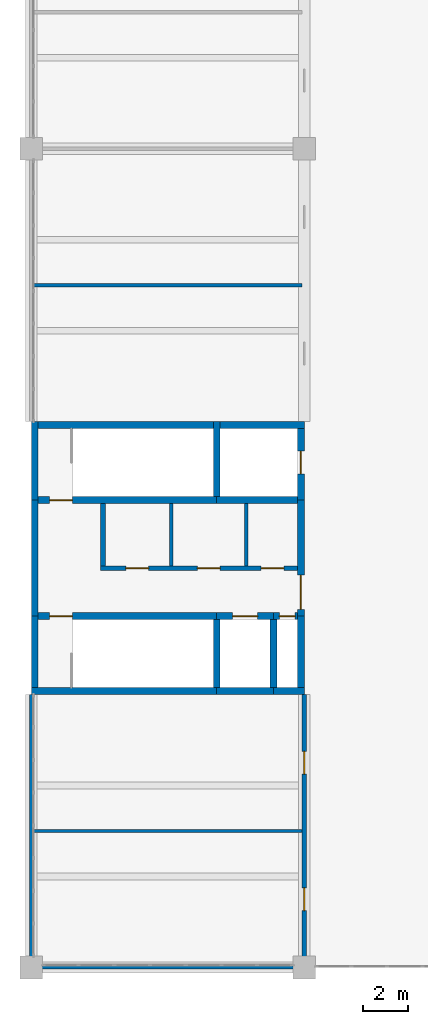
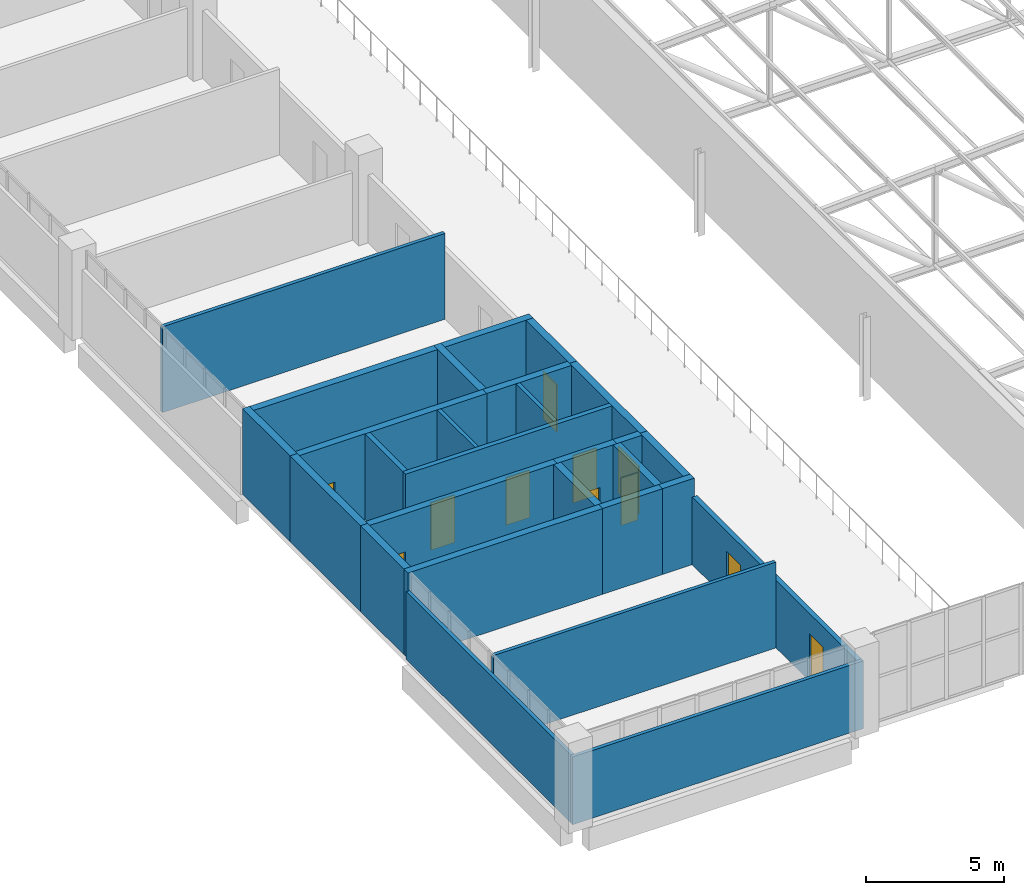
# One storey, part 141 of 156: 28 walls, 11 doors, 11 openings.
"""IFC4 building model written with IfcOpenShell, lengths in metres."""

from ifc_helpers import new_model, si_unit, direction, frame, frame_2d, origin, place, context, subcontext, project, spatial, rectangle, extrude, material, layer, layer_set, type_object, element, fill, save


model = new_model("IFC4")

# Units and contexts
model_context = context("Model", 3, precision=1e-05, world=origin(), true_north=direction((0.0, 1.0)))
body_context = subcontext(model_context, "Body", "Model", "MODEL_VIEW")
ifc_project = project(units=[si_unit("LENGTHUNIT", "METRE"), si_unit("AREAUNIT", "SQUARE_METRE"), si_unit("VOLUMEUNIT", "CUBIC_METRE"), si_unit("PLANEANGLEUNIT", "RADIAN"), si_unit("MASSUNIT", "GRAM", prefix="KILO")], contexts=[model_context])

# Site, building, storey
site_placement = place(None, origin())
site = spatial("IfcSite", under=ifc_project, at=site_placement, CompositionType="ELEMENT")
building_placement = place(site_placement, origin())
building = spatial("IfcBuilding", under=site, at=building_placement, Name="Lilac Gate Convention Centre", CompositionType="ELEMENT")
storey_placement = place(building_placement, frame((0.0, 0.0, 17.0)))
storey = spatial("IfcBuildingStorey", under=building, at=storey_placement, Name="L03", CompositionType="ELEMENT", Elevation=17.0)

# Walls
ifc_material_1 = material(Name="Fire-rated gypsum board on steel stud", Category="steel")
ifc_layer_1 = layer(ifc_material_1, 0.14990234375)
ifc_layer_set_1 = layer_set([ifc_layer_1], Name="Fire-rated gypsum board on steel stud")
wall_type_1 = type_object("IfcWallType", Name="Partition 150 fire-rated gypsum board EI 60", PredefinedType="PARTITIONING", material=ifc_layer_set_1)
wall_1_placement = place(storey_placement, frame((5.925048828125, 30.0, 0.0), z_axis=(0.0, 0.0, 1.0), x_axis=(1.0, 0.0, 0.0)))
element("IfcWall", 1, at=wall_1_placement, inside=storey, type_object=wall_type_1, Name="Partition 150 fire-rated gypsum board EI 60", PredefinedType="PARTITIONING", context=body_context, shape_type="SweptSolid", body=[
    extrude(rectangle(XDim=12.175048828125, YDim=0.14990234375, at=frame_2d((6.08740234375, 0.0))), origin(), (0.0, 0.0, 1.0), 3.0),
])
for number, where, z_axis, x_axis, name in (
    (2, (6.074951171875, 36.0, 0.0), (0.0, 0.0, 1.0), (1.0, 0.0, 0.0), "Partition 150 fire-rated gypsum board EI 60"),
    (3, (6.074951171875, 60.0, 0.0), (0.0, 0.0, 1.0), (1.0, 0.0, 0.0), "Partition 150 fire-rated gypsum board EI 60"),
):
    element("IfcWall", number, at=place(storey_placement, frame(where, z_axis=z_axis, x_axis=x_axis)), inside=storey, type_object=wall_type_1, Name=name, PredefinedType="PARTITIONING", context=body_context, shape_type="SweptSolid", body=[
        extrude(rectangle(XDim=11.824951171875, YDim=0.14990234375, at=frame_2d((5.91259765625, 0.0))), origin(), (0.0, 0.0, 1.0), 3.800048828125),
    ])
wall_2_placement = place(storey_placement, frame((6.0, 30.074951171875, 0.0), z_axis=(0.0, 0.0, 1.0), x_axis=(0.0, 1.0, 0.0)))
element("IfcWall", 4, at=wall_2_placement, inside=storey, type_object=wall_type_1, Name="Partition 150 fire-rated gypsum board EI 60", PredefinedType="PARTITIONING", context=body_context, shape_type="SweptSolid", body=[
    extrude(rectangle(XDim=11.925048828125, YDim=0.14990234375, at=frame_2d((5.96240234375, 0.0))), origin(), (0.0, 0.0, 1.0), 3.0),
])
for number, where, z_axis, x_axis, name in (
    (5, (12.14990234375, 47.64990234375, 0.0), (0.0, 0.0, 1.0), (0.0, 1.0, 0.0), "Partition 150 fire-rated gypsum board EI 60"),
    (6, (15.449951171875, 47.64990234375, 0.0), (0.0, 0.0, 1.0), (0.0, 1.0, 0.0), "Partition 150 fire-rated gypsum board EI 60"),
):
    element("IfcWall", number, at=place(storey_placement, frame(where, z_axis=z_axis, x_axis=x_axis)), inside=storey, type_object=wall_type_1, Name=name, PredefinedType="PARTITIONING", context=body_context, shape_type="SweptSolid", body=[
        extrude(rectangle(XDim=2.75, YDim=0.14990234375, at=frame_2d((1.375, 0.0))), origin(), (0.0, 0.0, 1.0), 3.800048828125),
    ])

# Wall, openings, doors
ifc_material_2 = material(Name="Clay brick masonry", Category="masonry")
ifc_layer_2 = layer(ifc_material_2, 0.199951171875)
ifc_layer_set_2 = layer_set([ifc_layer_2], Name="Clay brick masonry")
wall_type_2 = type_object("IfcWallType", Name="Partition 200 brick EI 60", PredefinedType="PARTITIONING", material=ifc_layer_set_2)
wall_3_placement = place(storey_placement, frame((9.050048828125, 47.550048828125, 0.0), z_axis=(0.0, 0.0, 1.0), x_axis=(1.0, 0.0, 0.0)))
wall_3 = element("IfcWall", 7, at=wall_3_placement, inside=storey, type_object=wall_type_2, Name="Partition 200 brick EI 60", PredefinedType="PARTITIONING", context=body_context, shape_type="SweptSolid", body=[
    extrude(rectangle(XDim=8.64990234375, YDim=0.199951171875, at=frame_2d((4.324951171875, 0.0))), origin(), (0.0, 0.0, 1.0), 3.800048828125),
])
opening_1_placement = place(wall_3_placement, frame((1.10009765625, 0.0, 0.0)))
opening_1 = element("IfcOpeningElement", 8, at=opening_1_placement, cuts=wall_3, Name="Opening L03-006", PredefinedType="OPENING", context=body_context, shape_type="SweptSolid", body=[
    extrude(rectangle(XDim=1.0, YDim=2.10009765625, at=frame_2d((0.5, 1.050048828125))), frame((0.0, 0.10986328125, 0.0), z_axis=(0.0, -1.0, 0.0), x_axis=(1.0, 0.0, 0.0)), (0.0, 0.0, 1.0), 0.219970703125),
])
opening_2_placement = place(wall_3_placement, frame((4.25, 0.0, 0.0)))
opening_2 = element("IfcOpeningElement", 9, at=opening_2_placement, cuts=wall_3, Name="Opening L03-007", PredefinedType="OPENING", context=body_context, shape_type="SweptSolid", body=[
    extrude(rectangle(XDim=1.0, YDim=2.10009765625, at=frame_2d((0.5, 1.050048828125))), frame((0.0, 0.10986328125, 0.0), z_axis=(0.0, -1.0, 0.0), x_axis=(1.0, 0.0, 0.0)), (0.0, 0.0, 1.0), 0.219970703125),
])
opening_3_placement = place(wall_3_placement, frame((7.050048828125, 0.0, 0.0)))
opening_3 = element("IfcOpeningElement", 10, at=opening_3_placement, cuts=wall_3, Name="Opening L03-008", PredefinedType="OPENING", context=body_context, shape_type="SweptSolid", body=[
    extrude(rectangle(XDim=1.0, YDim=2.10009765625, at=frame_2d((0.5, 1.050048828125))), frame((0.0, 0.10986328125, 0.0), z_axis=(0.0, -1.0, 0.0), x_axis=(1.0, 0.0, 0.0)), (0.0, 0.0, 1.0), 0.219970703125),
])
ifc_material_3 = material(Name="Timber fire door leaf", Category="wood")
door_type_1 = type_object("IfcDoorType", Name="Door 1000 x 2100 single leaf FD30", OperationType="SINGLE_SWING_LEFT", PredefinedType="DOOR", material=ifc_material_3)
door_1_placement = place(opening_1_placement, origin())
door_1 = element("IfcDoor", 11, at=door_1_placement, inside=storey, type_object=door_type_1, Name="WC door L03-006", OperationType="SINGLE_SWING_RIGHT", OverallHeight=2.10009765625, OverallWidth=1.0, PredefinedType="DOOR", context=body_context, shape_type="SweptSolid", body=[
    extrude(rectangle(XDim=1.0, YDim=2.10009765625, at=frame_2d((0.5, 1.050048828125))), frame((0.0, 0.02490234375, 0.0), z_axis=(0.0, -1.0, 0.0), x_axis=(1.0, 0.0, 0.0)), (0.0, 0.0, 1.0), 0.050048828125),
])
fill(opening_1, door_1)
door_2_placement = place(opening_2_placement, origin())
door_2 = element("IfcDoor", 12, at=door_2_placement, inside=storey, type_object=door_type_1, Name="WC door L03-007", OperationType="SINGLE_SWING_LEFT", OverallHeight=2.10009765625, OverallWidth=1.0, PredefinedType="DOOR", context=body_context, shape_type="SweptSolid", body=[
    extrude(rectangle(XDim=1.0, YDim=2.10009765625, at=frame_2d((0.5, 1.050048828125))), frame((0.0, 0.02490234375, 0.0), z_axis=(0.0, -1.0, 0.0), x_axis=(1.0, 0.0, 0.0)), (0.0, 0.0, 1.0), 0.050048828125),
])
fill(opening_2, door_2)
door_3_placement = place(opening_3_placement, origin())
door_3 = element("IfcDoor", 13, at=door_3_placement, inside=storey, type_object=door_type_1, Name="Accessible WC door L03-008", OperationType="SINGLE_SWING_LEFT", OverallHeight=2.10009765625, OverallWidth=1.0, PredefinedType="DOOR", context=body_context, shape_type="SweptSolid", body=[
    extrude(rectangle(XDim=1.0, YDim=2.10009765625, at=frame_2d((0.5, 1.050048828125))), frame((0.0, 0.02490234375, 0.0), z_axis=(0.0, -1.0, 0.0), x_axis=(1.0, 0.0, 0.0)), (0.0, 0.0, 1.0), 0.050048828125),
])
fill(opening_3, door_3)

# Wall
wall_4_placement = place(storey_placement, frame((9.14990234375, 47.64990234375, 0.0), z_axis=(0.0, 0.0, 1.0), x_axis=(0.0, 1.0, 0.0)))
element("IfcWall", 14, at=wall_4_placement, inside=storey, type_object=wall_type_2, Name="Partition 200 brick EI 60", PredefinedType="PARTITIONING", context=body_context, shape_type="SweptSolid", body=[
    extrude(rectangle(XDim=2.75, YDim=0.199951171875, at=frame_2d((1.375, 0.0))), origin(), (0.0, 0.0, 1.0), 3.800048828125),
])

# Wall, openings, doors
wall_5_placement = place(storey_placement, frame((18.0, 30.074951171875, 0.0), z_axis=(0.0, 0.0, 1.0), x_axis=(0.0, 1.0, 0.0)))
wall_5 = element("IfcWall", 15, at=wall_5_placement, inside=storey, type_object=wall_type_2, Name="Partition 200 brick EI 60", PredefinedType="PARTITIONING", context=body_context, shape_type="SweptSolid", body=[
    extrude(rectangle(XDim=11.925048828125, YDim=0.199951171875, at=frame_2d((5.96240234375, 0.0))), origin(), (0.0, 0.0, 1.0), 3.0),
])
opening_4_placement = place(wall_5_placement, frame((2.425048828125, 0.0, 0.0)))
opening_4 = element("IfcOpeningElement", 16, at=opening_4_placement, cuts=wall_5, Name="Opening L03-001", PredefinedType="OPENING", context=body_context, shape_type="SweptSolid", body=[
    extrude(rectangle(XDim=1.0, YDim=2.10009765625, at=frame_2d((0.5, 1.050048828125))), frame((0.0, 0.10986328125, 0.0), z_axis=(0.0, -1.0, 0.0), x_axis=(1.0, 0.0, 0.0)), (0.0, 0.0, 1.0), 0.219970703125),
])
opening_5_placement = place(wall_5_placement, frame((8.425048828125, 0.0, 0.0)))
opening_5 = element("IfcOpeningElement", 17, at=opening_5_placement, cuts=wall_5, Name="Opening L03-002", PredefinedType="OPENING", context=body_context, shape_type="SweptSolid", body=[
    extrude(rectangle(XDim=1.0, YDim=2.10009765625, at=frame_2d((0.5, 1.050048828125))), frame((0.0, 0.10986328125, 0.0), z_axis=(0.0, -1.0, 0.0), x_axis=(1.0, 0.0, 0.0)), (0.0, 0.0, 1.0), 0.219970703125),
])
door_4_placement = place(opening_4_placement, origin())
door_4 = element("IfcDoor", 18, at=door_4_placement, inside=storey, type_object=door_type_1, Name="Meeting room door L03-001", OperationType="SINGLE_SWING_RIGHT", OverallHeight=2.10009765625, OverallWidth=1.0, PredefinedType="DOOR", context=body_context, shape_type="SweptSolid", body=[
    extrude(rectangle(XDim=1.0, YDim=2.10009765625, at=frame_2d((0.5, 1.050048828125))), frame((0.0, 0.02490234375, 0.0), z_axis=(0.0, -1.0, 0.0), x_axis=(1.0, 0.0, 0.0)), (0.0, 0.0, 1.0), 0.050048828125),
])
fill(opening_4, door_4)
door_5_placement = place(opening_5_placement, origin())
door_5 = element("IfcDoor", 19, at=door_5_placement, inside=storey, type_object=door_type_1, Name="Meeting room door L03-002", OperationType="SINGLE_SWING_RIGHT", OverallHeight=2.10009765625, OverallWidth=1.0, PredefinedType="DOOR", context=body_context, shape_type="SweptSolid", body=[
    extrude(rectangle(XDim=1.0, YDim=2.10009765625, at=frame_2d((0.5, 1.050048828125))), frame((0.0, 0.02490234375, 0.0), z_axis=(0.0, -1.0, 0.0), x_axis=(1.0, 0.0, 0.0)), (0.0, 0.0, 1.0), 0.050048828125),
])
fill(opening_5, door_5)

# Walls
ifc_material_4 = material(Name="Concrete C40", Category="concrete")
ifc_layer_3 = layer(ifc_material_4, 0.300048828125)
ifc_layer_set_3 = layer_set([ifc_layer_3], Name="Concrete C40")
wall_type_3 = type_object("IfcWallType", Name="Shear wall 300 C40", PredefinedType="SHEAR", material=ifc_layer_set_3)
wall_6_placement = place(storey_placement, frame((6.0, 42.14990234375, 0.0), z_axis=(0.0, 0.0, 1.0), x_axis=(1.0, 0.0, 0.0)))
element("IfcWall", 20, at=wall_6_placement, inside=storey, type_object=wall_type_3, Name="SW1 shear wall W1 L03 1", PredefinedType="SHEAR", context=body_context, shape_type="SweptSolid", body=[
    extrude(rectangle(XDim=8.14990234375, YDim=0.300048828125, at=frame_2d((4.074951171875, 0.0))), origin(), (0.0, 0.0, 1.0), 3.800048828125),
])
wall_7_placement = place(storey_placement, frame((14.14990234375, 42.14990234375, 0.0), z_axis=(0.0, 0.0, 1.0), x_axis=(1.0, 0.0, 0.0)))
element("IfcWall", 21, at=wall_7_placement, inside=storey, type_object=wall_type_3, Name="SW1 shear wall W1 L03 2", PredefinedType="SHEAR", context=body_context, shape_type="SweptSolid", body=[
    extrude(rectangle(XDim=2.5, YDim=0.300048828125, at=frame_2d((1.25, 0.0))), origin(), (0.0, 0.0, 1.0), 3.800048828125),
])
wall_8_placement = place(storey_placement, frame((16.64990234375, 42.14990234375, 0.0), z_axis=(0.0, 0.0, 1.0), x_axis=(1.0, 0.0, 0.0)))
element("IfcWall", 22, at=wall_8_placement, inside=storey, type_object=wall_type_3, Name="SW1 shear wall W1 L03 3", PredefinedType="SHEAR", context=body_context, shape_type="SweptSolid", body=[
    extrude(rectangle(XDim=1.35009765625, YDim=0.300048828125, at=frame_2d((0.675048828125, 0.0))), origin(), (0.0, 0.0, 1.0), 3.800048828125),
])
wall_9_placement = place(storey_placement, frame((6.0, 53.85009765625, 0.0), z_axis=(0.0, 0.0, 1.0), x_axis=(1.0, 0.0, 0.0)))
element("IfcWall", 23, at=wall_9_placement, inside=storey, type_object=wall_type_3, Name="SW1 shear wall W1 L03 4", PredefinedType="SHEAR", context=body_context, shape_type="SweptSolid", body=[
    extrude(rectangle(XDim=8.14990234375, YDim=0.300048828125, at=frame_2d((4.074951171875, 0.0))), origin(), (0.0, 0.0, 1.0), 3.800048828125),
])
wall_10_placement = place(storey_placement, frame((14.14990234375, 53.85009765625, 0.0), z_axis=(0.0, 0.0, 1.0), x_axis=(1.0, 0.0, 0.0)))
element("IfcWall", 24, at=wall_10_placement, inside=storey, type_object=wall_type_3, Name="SW1 shear wall W1 L03 5", PredefinedType="SHEAR", context=body_context, shape_type="SweptSolid", body=[
    extrude(rectangle(XDim=3.85009765625, YDim=0.300048828125, at=frame_2d((1.925048828125, 0.0))), origin(), (0.0, 0.0, 1.0), 3.800048828125),
])

# Wall, opening, door
wall_11_placement = place(storey_placement, frame((6.300048828125, 45.449951171875, 0.0), z_axis=(0.0, 0.0, 1.0), x_axis=(1.0, 0.0, 0.0)))
wall_11 = element("IfcWall", 25, at=wall_11_placement, inside=storey, type_object=wall_type_3, Name="SW1 shear wall W1 L03 6", PredefinedType="SHEAR", context=body_context, shape_type="SweptSolid", body=[
    extrude(rectangle(XDim=7.849853515625, YDim=0.300048828125, at=frame_2d((3.9248046875, 0.0))), origin(), (0.0, 0.0, 1.0), 3.800048828125),
])
opening_6_placement = place(wall_11_placement, frame((0.5, 0.0, 0.0)))
opening_6 = element("IfcOpeningElement", 26, at=opening_6_placement, cuts=wall_11, Name="Opening L03-003", PredefinedType="OPENING", context=body_context, shape_type="SweptSolid", body=[
    extrude(rectangle(XDim=1.0, YDim=2.10009765625, at=frame_2d((0.5, 1.050048828125))), frame((0.0, 0.159912109375, 0.0), z_axis=(0.0, -1.0, 0.0), x_axis=(1.0, 0.0, 0.0)), (0.0, 0.0, 1.0), 0.320068359375),
])
door_type_2 = type_object("IfcDoorType", Name="Door 1000 x 2100 single leaf FD60", OperationType="SINGLE_SWING_LEFT", PredefinedType="DOOR", material=ifc_material_3)
door_6_placement = place(opening_6_placement, frame((1.0, 0.0, 0.0), z_axis=(0.0, 0.0, 1.0), x_axis=(-1.0, 0.0, 0.0)))
door_6 = element("IfcDoor", 27, at=door_6_placement, inside=storey, type_object=door_type_2, Name="Stair door L03-003", OperationType="SINGLE_SWING_LEFT", OverallHeight=2.10009765625, OverallWidth=1.0, PredefinedType="DOOR", context=body_context, shape_type="SweptSolid", body=[
    extrude(rectangle(XDim=1.0, YDim=2.10009765625, at=frame_2d((0.5, 1.050048828125))), frame((0.0, 0.02490234375, 0.0), z_axis=(0.0, -1.0, 0.0), x_axis=(1.0, 0.0, 0.0)), (0.0, 0.0, 1.0), 0.050048828125),
])
fill(opening_6, door_6)

wall_12_placement = place(storey_placement, frame((14.14990234375, 45.449951171875, 0.0), z_axis=(0.0, 0.0, 1.0), x_axis=(1.0, 0.0, 0.0)))
wall_12 = element("IfcWall", 28, at=wall_12_placement, inside=storey, type_object=wall_type_3, Name="SW1 shear wall W1 L03 7", PredefinedType="SHEAR", context=body_context, shape_type="SweptSolid", body=[
    extrude(rectangle(XDim=2.5, YDim=0.300048828125, at=frame_2d((1.25, 0.0))), origin(), (0.0, 0.0, 1.0), 3.800048828125),
])
opening_7_placement = place(wall_12_placement, frame((0.699951171875, 0.0, 0.0)))
opening_7 = element("IfcOpeningElement", 29, at=opening_7_placement, cuts=wall_12, Name="Opening LDW1-03", PredefinedType="OPENING", context=body_context, shape_type="SweptSolid", body=[
    extrude(rectangle(XDim=1.10009765625, YDim=2.10009765625, at=frame_2d((0.550048828125, 1.050048828125))), frame((0.0, 0.159912109375, 0.0), z_axis=(0.0, -1.0, 0.0), x_axis=(1.0, 0.0, 0.0)), (0.0, 0.0, 1.0), 0.320068359375),
])
ifc_material_5 = material(Name="Stainless steel 304", Category="steel")
door_type_3 = type_object("IfcDoorType", Name="Lift landing door 1100 x 2100", OperationType="SLIDING_TO_LEFT", PredefinedType="DOOR", material=ifc_material_5)
door_7_placement = place(opening_7_placement, origin())
door_7 = element("IfcDoor", 30, at=door_7_placement, inside=storey, type_object=door_type_3, Name="Lift landing door LDW1-03", OperationType="SLIDING_TO_LEFT", OverallHeight=2.10009765625, OverallWidth=1.10009765625, PredefinedType="DOOR", context=body_context, shape_type="SweptSolid", body=[
    extrude(rectangle(XDim=1.10009765625, YDim=2.10009765625, at=frame_2d((0.550048828125, 1.050048828125))), frame((0.0, 0.02490234375, 0.0), z_axis=(0.0, -1.0, 0.0), x_axis=(1.0, 0.0, 0.0)), (0.0, 0.0, 1.0), 0.050048828125),
])
fill(opening_7, door_7)

wall_13_placement = place(storey_placement, frame((16.64990234375, 45.449951171875, 0.0), z_axis=(0.0, 0.0, 1.0), x_axis=(1.0, 0.0, 0.0)))
wall_13 = element("IfcWall", 31, at=wall_13_placement, inside=storey, type_object=wall_type_3, Name="SW1 shear wall W1 L03 8", PredefinedType="SHEAR", context=body_context, shape_type="SweptSolid", body=[
    extrude(rectangle(XDim=1.050048828125, YDim=0.300048828125, at=frame_2d((0.52490234375, 0.0))), origin(), (0.0, 0.0, 1.0), 3.800048828125),
])
opening_8_placement = place(wall_13_placement, frame((0.25, 0.0, 0.0)))
opening_8 = element("IfcOpeningElement", 32, at=opening_8_placement, cuts=wall_13, Name="Opening L03-004", PredefinedType="OPENING", context=body_context, shape_type="SweptSolid", body=[
    extrude(rectangle(XDim=0.699951171875, YDim=2.10009765625, at=frame_2d((0.35009765625, 1.050048828125))), frame((0.0, 0.159912109375, 0.0), z_axis=(0.0, -1.0, 0.0), x_axis=(1.0, 0.0, 0.0)), (0.0, 0.0, 1.0), 0.320068359375),
])
door_type_4 = type_object("IfcDoorType", Name="Door 700 x 2100 single leaf FD30", OperationType="SINGLE_SWING_LEFT", PredefinedType="DOOR", material=ifc_material_3)
door_8_placement = place(opening_8_placement, frame((0.699951171875, 0.0, 0.0), z_axis=(0.0, 0.0, 1.0), x_axis=(-1.0, 0.0, 0.0)))
door_8 = element("IfcDoor", 33, at=door_8_placement, inside=storey, type_object=door_type_4, Name="Riser access door L03-004", OperationType="SINGLE_SWING_LEFT", OverallHeight=2.10009765625, OverallWidth=0.699951171875, PredefinedType="DOOR", context=body_context, shape_type="SweptSolid", body=[
    extrude(rectangle(XDim=0.699951171875, YDim=2.10009765625, at=frame_2d((0.35009765625, 1.050048828125))), frame((0.0, 0.02490234375, 0.0), z_axis=(0.0, -1.0, 0.0), x_axis=(1.0, 0.0, 0.0)), (0.0, 0.0, 1.0), 0.050048828125),
])
fill(opening_8, door_8)

wall_14_placement = place(storey_placement, frame((6.300048828125, 50.550048828125, 0.0), z_axis=(0.0, 0.0, 1.0), x_axis=(1.0, 0.0, 0.0)))
wall_14 = element("IfcWall", 34, at=wall_14_placement, inside=storey, type_object=wall_type_3, Name="SW1 shear wall W1 L03 9", PredefinedType="SHEAR", context=body_context, shape_type="SweptSolid", body=[
    extrude(rectangle(XDim=7.849853515625, YDim=0.300048828125, at=frame_2d((3.9248046875, 0.0))), origin(), (0.0, 0.0, 1.0), 3.800048828125),
])
opening_9_placement = place(wall_14_placement, frame((0.5, 0.0, 0.0)))
opening_9 = element("IfcOpeningElement", 35, at=opening_9_placement, cuts=wall_14, Name="Opening L03-009", PredefinedType="OPENING", context=body_context, shape_type="SweptSolid", body=[
    extrude(rectangle(XDim=1.0, YDim=2.10009765625, at=frame_2d((0.5, 1.050048828125))), frame((0.0, 0.159912109375, 0.0), z_axis=(0.0, -1.0, 0.0), x_axis=(1.0, 0.0, 0.0)), (0.0, 0.0, 1.0), 0.320068359375),
])
door_9_placement = place(opening_9_placement, origin())
door_9 = element("IfcDoor", 36, at=door_9_placement, inside=storey, type_object=door_type_2, Name="Stair door L03-009", OperationType="SINGLE_SWING_RIGHT", OverallHeight=2.10009765625, OverallWidth=1.0, PredefinedType="DOOR", context=body_context, shape_type="SweptSolid", body=[
    extrude(rectangle(XDim=1.0, YDim=2.10009765625, at=frame_2d((0.5, 1.050048828125))), frame((0.0, 0.02490234375, 0.0), z_axis=(0.0, -1.0, 0.0), x_axis=(1.0, 0.0, 0.0)), (0.0, 0.0, 1.0), 0.050048828125),
])
fill(opening_9, door_9)

# Walls
wall_15_placement = place(storey_placement, frame((14.14990234375, 50.550048828125, 0.0), z_axis=(0.0, 0.0, 1.0), x_axis=(1.0, 0.0, 0.0)))
element("IfcWall", 37, at=wall_15_placement, inside=storey, type_object=wall_type_3, Name="SW1 shear wall W1 L03 10", PredefinedType="SHEAR", context=body_context, shape_type="SweptSolid", body=[
    extrude(rectangle(XDim=3.550048828125, YDim=0.300048828125, at=frame_2d((1.77490234375, 0.0))), origin(), (0.0, 0.0, 1.0), 3.800048828125),
])
wall_16_placement = place(storey_placement, frame((6.14990234375, 42.300048828125, 0.0), z_axis=(0.0, 0.0, 1.0), x_axis=(0.0, 1.0, 0.0)))
element("IfcWall", 38, at=wall_16_placement, inside=storey, type_object=wall_type_3, Name="SW1 shear wall W1 L03 11", PredefinedType="SHEAR", context=body_context, shape_type="SweptSolid", body=[
    extrude(rectangle(XDim=3.14990234375, YDim=0.300048828125, at=frame_2d((1.574951171875, 0.0))), origin(), (0.0, 0.0, 1.0), 3.800048828125),
])
wall_17_placement = place(storey_placement, frame((6.14990234375, 45.449951171875, 0.0), z_axis=(0.0, 0.0, 1.0), x_axis=(0.0, 1.0, 0.0)))
element("IfcWall", 39, at=wall_17_placement, inside=storey, type_object=wall_type_3, Name="SW1 shear wall W1 L03 12", PredefinedType="SHEAR", context=body_context, shape_type="SweptSolid", body=[
    extrude(rectangle(XDim=5.10009765625, YDim=0.300048828125, at=frame_2d((2.550048828125, 0.0))), origin(), (0.0, 0.0, 1.0), 3.800048828125),
])
wall_18_placement = place(storey_placement, frame((6.14990234375, 50.550048828125, 0.0), z_axis=(0.0, 0.0, 1.0), x_axis=(0.0, 1.0, 0.0)))
element("IfcWall", 40, at=wall_18_placement, inside=storey, type_object=wall_type_3, Name="SW1 shear wall W1 L03 13", PredefinedType="SHEAR", context=body_context, shape_type="SweptSolid", body=[
    extrude(rectangle(XDim=3.449951171875, YDim=0.300048828125, at=frame_2d((1.72509765625, 0.0))), origin(), (0.0, 0.0, 1.0), 3.800048828125),
])
wall_19_placement = place(storey_placement, frame((17.85009765625, 42.300048828125, 0.0), z_axis=(0.0, 0.0, 1.0), x_axis=(0.0, 1.0, 0.0)))
element("IfcWall", 41, at=wall_19_placement, inside=storey, type_object=wall_type_3, Name="SW1 shear wall W1 L03 14", PredefinedType="SHEAR", context=body_context, shape_type="SweptSolid", body=[
    extrude(rectangle(XDim=3.14990234375, YDim=0.300048828125, at=frame_2d((1.574951171875, 0.0))), origin(), (0.0, 0.0, 1.0), 3.800048828125),
])

# Wall, opening, door
wall_20_placement = place(storey_placement, frame((17.85009765625, 45.449951171875, 0.0), z_axis=(0.0, 0.0, 1.0), x_axis=(0.0, 1.0, 0.0)))
wall_20 = element("IfcWall", 42, at=wall_20_placement, inside=storey, type_object=wall_type_3, Name="SW1 shear wall W1 L03 15", PredefinedType="SHEAR", context=body_context, shape_type="SweptSolid", body=[
    extrude(rectangle(XDim=5.10009765625, YDim=0.300048828125, at=frame_2d((2.550048828125, 0.0))), origin(), (0.0, 0.0, 1.0), 3.800048828125),
])
opening_10_placement = place(wall_20_placement, frame((0.300048828125, 0.0, 0.0)))
opening_10 = element("IfcOpeningElement", 43, at=opening_10_placement, cuts=wall_20, Name="Opening L03-005", PredefinedType="OPENING", context=body_context, shape_type="SweptSolid", body=[
    extrude(rectangle(XDim=1.5, YDim=2.10009765625, at=frame_2d((0.75, 1.050048828125))), frame((0.0, 0.159912109375, 0.0), z_axis=(0.0, -1.0, 0.0), x_axis=(1.0, 0.0, 0.0)), (0.0, 0.0, 1.0), 0.320068359375),
])
door_type_5 = type_object("IfcDoorType", Name="Door 1500 x 2100 double leaf FD30", OperationType="DOUBLE_DOOR_SINGLE_SWING", PredefinedType="DOOR", material=ifc_material_3)
door_10_placement = place(opening_10_placement, origin())
door_10 = element("IfcDoor", 44, at=door_10_placement, inside=storey, type_object=door_type_5, Name="Lobby door L03-005", OperationType="DOUBLE_DOOR_SINGLE_SWING", OverallHeight=2.10009765625, OverallWidth=1.5, PredefinedType="DOOR", context=body_context, shape_type="SweptSolid", body=[
    extrude(rectangle(XDim=1.5, YDim=2.10009765625, at=frame_2d((0.75, 1.050048828125))), frame((0.0, 0.02490234375, 0.0), z_axis=(0.0, -1.0, 0.0), x_axis=(1.0, 0.0, 0.0)), (0.0, 0.0, 1.0), 0.050048828125),
])
fill(opening_10, door_10)

wall_21_placement = place(storey_placement, frame((17.85009765625, 50.550048828125, 0.0), z_axis=(0.0, 0.0, 1.0), x_axis=(0.0, 1.0, 0.0)))
wall_21 = element("IfcWall", 45, at=wall_21_placement, inside=storey, type_object=wall_type_3, Name="SW1 shear wall W1 L03 16", PredefinedType="SHEAR", context=body_context, shape_type="SweptSolid", body=[
    extrude(rectangle(XDim=3.14990234375, YDim=0.300048828125, at=frame_2d((1.574951171875, 0.0))), origin(), (0.0, 0.0, 1.0), 3.800048828125),
])
opening_11_placement = place(wall_21_placement, frame((1.14990234375, 0.0, 0.0)))
opening_11 = element("IfcOpeningElement", 46, at=opening_11_placement, cuts=wall_21, Name="Opening L03-010", PredefinedType="OPENING", context=body_context, shape_type="SweptSolid", body=[
    extrude(rectangle(XDim=1.0, YDim=2.10009765625, at=frame_2d((0.5, 1.050048828125))), frame((0.0, 0.159912109375, 0.0), z_axis=(0.0, -1.0, 0.0), x_axis=(1.0, 0.0, 0.0)), (0.0, 0.0, 1.0), 0.320068359375),
])
door_11_placement = place(opening_11_placement, origin())
door_11 = element("IfcDoor", 47, at=door_11_placement, inside=storey, type_object=door_type_1, Name="Riser access door L03-010", OperationType="SINGLE_SWING_RIGHT", OverallHeight=2.10009765625, OverallWidth=1.0, PredefinedType="DOOR", context=body_context, shape_type="SweptSolid", body=[
    extrude(rectangle(XDim=1.0, YDim=2.10009765625, at=frame_2d((0.5, 1.050048828125))), frame((0.0, 0.02490234375, 0.0), z_axis=(0.0, -1.0, 0.0), x_axis=(1.0, 0.0, 0.0)), (0.0, 0.0, 1.0), 0.050048828125),
])
fill(opening_11, door_11)

# Walls
wall_22_placement = place(storey_placement, frame((14.14990234375, 42.300048828125, 0.0), z_axis=(0.0, 0.0, 1.0), x_axis=(0.0, 1.0, 0.0)))
element("IfcWall", 48, at=wall_22_placement, inside=storey, type_object=wall_type_3, Name="SW1 shear wall W1 L03 17", PredefinedType="SHEAR", context=body_context, shape_type="SweptSolid", body=[
    extrude(rectangle(XDim=3.0, YDim=0.300048828125, at=frame_2d((1.5, 0.0))), origin(), (0.0, 0.0, 1.0), 3.800048828125),
])
wall_23_placement = place(storey_placement, frame((14.14990234375, 50.699951171875, 0.0), z_axis=(0.0, 0.0, 1.0), x_axis=(0.0, 1.0, 0.0)))
element("IfcWall", 49, at=wall_23_placement, inside=storey, type_object=wall_type_3, Name="SW1 shear wall W1 L03 18", PredefinedType="SHEAR", context=body_context, shape_type="SweptSolid", body=[
    extrude(rectangle(XDim=3.300048828125, YDim=0.300048828125, at=frame_2d((1.64990234375, 0.0))), origin(), (0.0, 0.0, 1.0), 3.800048828125),
])
wall_24_placement = place(storey_placement, frame((16.64990234375, 42.300048828125, 0.0), z_axis=(0.0, 0.0, 1.0), x_axis=(0.0, 1.0, 0.0)))
element("IfcWall", 50, at=wall_24_placement, inside=storey, type_object=wall_type_3, Name="SW1 shear wall W1 L03 19", PredefinedType="SHEAR", context=body_context, shape_type="SweptSolid", body=[
    extrude(rectangle(XDim=3.0, YDim=0.300048828125, at=frame_2d((1.5, 0.0))), origin(), (0.0, 0.0, 1.0), 3.800048828125),
])

save(model, "model.ifc")
